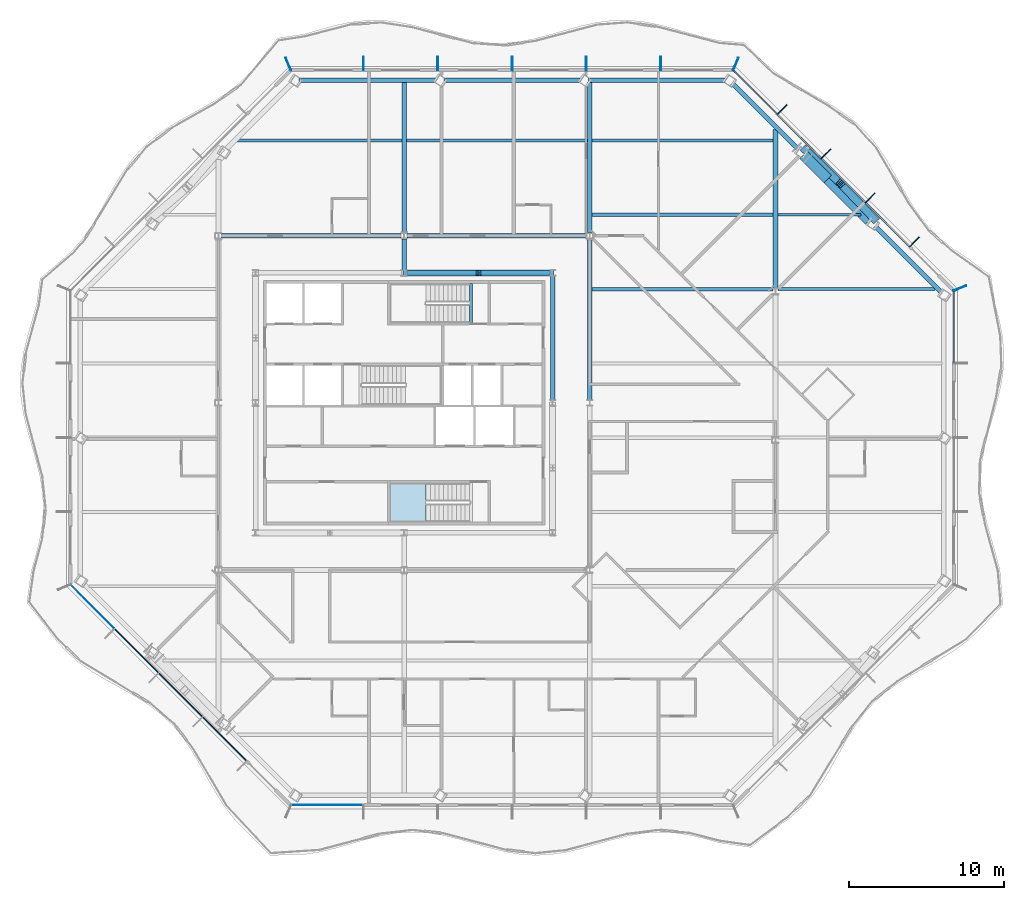
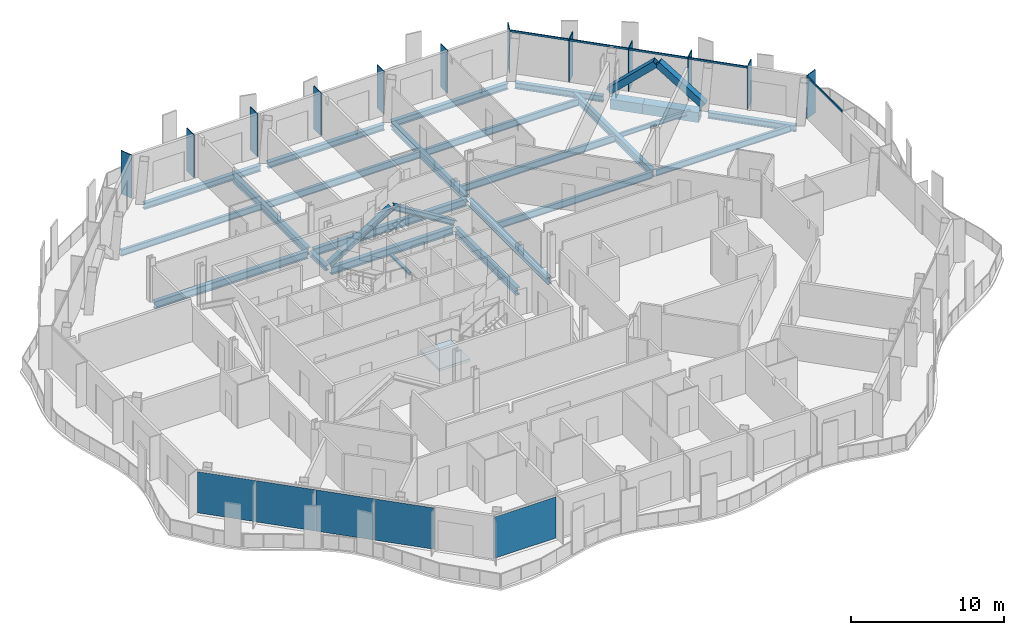
# One storey, part 5 of 19: 24 beams, 21 members, 5 plates, 1 slab, 7 elements without a shape of their own.
"""IFC4 building model written with IfcOpenShell, lengths in metres."""

import ifcopenshell
import ifcopenshell.guid

model = None  # the IFC model being written
_history = None  # IfcOwnerHistory: only IFC2X3 demands one
_inside = {}  # id of a spatial element -> (the spatial element, [elements in it])
_under = {}  # id of a project, library or spatial element -> (it, [spatial elements below it])
_declared = {}  # id of a project -> (the project, [libraries it declares])
_typed = {}  # id of a type object -> (the type object, [elements of that type])
_made_of = {}  # id of a material, layer set ... -> (it, [elements and type objects made of it])


def new_model(schema):
    """Start an empty IFC model of exactly this schema.

    Asked for "IFC4X3", IfcOpenShell would pick the latest addendum, in which some entities
    have other attributes; the version numbers below select the first issue.
    IFC2X3 requires an IfcOwnerHistory on every rooted entity: one is made here for all.
    """
    global model, _history
    if schema == "IFC4X3":
        model = ifcopenshell.file(schema_version=(4, 3, 0, 0))
    else:
        model = ifcopenshell.file(schema=schema)
    _inside.clear()
    _under.clear()
    _declared.clear()
    _typed.clear()
    _made_of.clear()
    _history = None
    if model.schema == "IFC2X3":
        org = make("IfcOrganization", Name="unknown")
        user = make(
            "IfcPersonAndOrganization",
            ThePerson=make("IfcPerson", FamilyName="unknown"),
            TheOrganization=org,
        )
        app = make(
            "IfcApplication",
            ApplicationDeveloper=org,
            Version="unknown",
            ApplicationFullName="unknown",
            ApplicationIdentifier="unknown",
        )
        _history = make(
            "IfcOwnerHistory",
            OwningUser=user,
            OwningApplication=app,
            ChangeAction="ADDED",
            CreationDate=0,
        )
    return model


def make(cls, **values):
    """One entity of the class cls with the attributes given. An attribute that is None is left unset."""
    return model.create_entity(
        cls, **{name: value for name, value in values.items() if value is not None}
    )


def rooted(cls, **values):
    """An entity with a GlobalId (a new one), such as an element, a storey or a relation."""
    return make(cls, GlobalId=ifcopenshell.guid.new(), OwnerHistory=_history, **values)


def si_unit(unit_type, name, prefix=None):
    """IfcSIUnit, for example si_unit("LENGTHUNIT", "METRE", prefix="MILLI")."""
    return make("IfcSIUnit", UnitType=unit_type, Prefix=prefix, Name=name)


def assignment(units):
    """IfcUnitAssignment: the units of a project."""
    return None if units is None else make("IfcUnitAssignment", Units=units)


def point(xyz):
    """IfcCartesianPoint."""
    return None if xyz is None else make("IfcCartesianPoint", Coordinates=xyz)


def direction(xyz):
    """IfcDirection."""
    return None if xyz is None else make("IfcDirection", DirectionRatios=xyz)


def frame(location, z_axis=None, x_axis=None):
    """IfcAxis2Placement3D, a coordinate frame: its origin and axes. An axis left out is left unset."""
    return make(
        "IfcAxis2Placement3D",
        Location=point(location),
        Axis=direction(z_axis),
        RefDirection=direction(x_axis),
    )


def frame_2d(location, x_axis=None):
    """IfcAxis2Placement2D, a coordinate frame in the plane: its origin and x axis."""
    return make(
        "IfcAxis2Placement2D", Location=point(location), RefDirection=direction(x_axis)
    )


def origin():
    """The frame at (0, 0, 0) with its axes left unset."""
    return frame((0.0, 0.0, 0.0))


def origin_2d():
    """The frame at (0, 0) in the plane with its x axis left unset."""
    return frame_2d((0.0, 0.0))


def place(relative_to, where):
    """IfcLocalPlacement: puts the frame where relative to a parent placement (None: the world)."""
    return make(
        "IfcLocalPlacement", PlacementRelTo=relative_to, RelativePlacement=where
    )


def context(
    kind, dimensions, precision=None, world=None, true_north=None, identifier=None
):
    """IfcGeometricRepresentationContext, for example the 3D "Model" context."""
    return make(
        "IfcGeometricRepresentationContext",
        ContextIdentifier=identifier,
        ContextType=kind,
        CoordinateSpaceDimension=dimensions,
        Precision=precision,
        WorldCoordinateSystem=world,
        TrueNorth=true_north,
    )


def subcontext(parent, identifier, kind, view, scale=None):
    """IfcGeometricRepresentationSubContext, for example "Body" below "Model"."""
    return make(
        "IfcGeometricRepresentationSubContext",
        ContextIdentifier=identifier,
        ContextType=kind,
        ParentContext=parent,
        TargetScale=scale,
        TargetView=view,
    )


def project(units=None, contexts=None):
    """IfcProject with its units and contexts."""
    return rooted(
        "IfcProject",
        Name="project",
        RepresentationContexts=contexts,
        UnitsInContext=assignment(units),
    )


def spatial(cls, under=None, at=None, **own):
    """A site, building, storey or space (cls), placed at a placement, below another one or the project."""
    s = rooted(cls, ObjectPlacement=at, **own)
    if under is not None:
        _under.setdefault(under.id(), (under, []))[1].append(s)
    return s


def polyline(points):
    """IfcPolyline through the points."""
    return make("IfcPolyline", Points=[point(p) for p in points])


def profile(cls, at=None, kind="AREA", **sizes):
    """A parametric profile (cls). Its sizes go by their IFC names, for example OverallWidth=200.0."""
    return make(cls, ProfileType=kind, Position=at, **sizes)


def rectangle(**sizes):
    """IfcRectangleProfileDef."""
    return profile("IfcRectangleProfileDef", **sizes)


def hollow_rectangle(**sizes):
    """IfcRectangleHollowProfileDef."""
    return profile("IfcRectangleHollowProfileDef", **sizes)


def i_section(**sizes):
    """IfcIShapeProfileDef."""
    return profile("IfcIShapeProfileDef", **sizes)


def outline(outer, holes=None, kind="AREA"):
    """IfcArbitraryClosedProfileDef: a profile drawn as a closed curve; with holes, ...WithVoids."""
    if holes is None:
        return make("IfcArbitraryClosedProfileDef", ProfileType=kind, OuterCurve=outer)
    return make(
        "IfcArbitraryProfileDefWithVoids",
        ProfileType=kind,
        OuterCurve=outer,
        InnerCurves=holes,
    )


def extrude(swept, where, along, depth):
    """IfcExtrudedAreaSolid: the profile swept, set in the frame where, extruded along a direction by depth."""
    return make(
        "IfcExtrudedAreaSolid",
        SweptArea=swept,
        Position=where,
        ExtrudedDirection=direction(along),
        Depth=depth,
    )


def shape(context_of_items, identifier, shape_type, items):
    """IfcShapeRepresentation: the items that make up one representation, for example the "Body"."""
    return make(
        "IfcShapeRepresentation",
        ContextOfItems=context_of_items,
        RepresentationIdentifier=identifier,
        RepresentationType=shape_type,
        Items=items,
    )


def material(Name=None, Category=None):
    """IfcMaterial."""
    return make("IfcMaterial", Name=Name, Category=Category)


def layer(
    of_material, thickness, ventilated=None, Name=None, Category=None, Priority=None
):
    """IfcMaterialLayer: one layer of a wall or slab, of a material (None: an air gap)."""
    return make(
        "IfcMaterialLayer",
        Material=of_material,
        LayerThickness=thickness,
        IsVentilated=ventilated,
        Name=Name,
        Category=Category,
        Priority=Priority,
    )


def layer_set(layers, Name=None):
    """IfcMaterialLayerSet."""
    return make("IfcMaterialLayerSet", MaterialLayers=layers, LayerSetName=Name)


def material_profile(
    of_material, cross_section, Name=None, Category=None, Priority=None
):
    """IfcMaterialProfile: a cross section and its material."""
    return make(
        "IfcMaterialProfile",
        Name=Name,
        Material=of_material,
        Profile=cross_section,
        Priority=Priority,
        Category=Category,
    )


def profile_set(profiles, Name=None, composite=None):
    """IfcMaterialProfileSet."""
    return make(
        "IfcMaterialProfileSet",
        Name=Name,
        MaterialProfiles=profiles,
        CompositeProfile=composite,
    )


def made_of(thing, what):
    """Note that an element or type object is made of a material, layer set ...; save() writes the relation."""
    if what is not None:
        _made_of.setdefault(what.id(), (what, []))[1].append(thing)
    return thing


def type_object(cls, material=None, **own):
    """A type object (cls), such as IfcWallType, which elements share."""
    return made_of(rooted(cls, **own), material)


def element(
    cls,
    number,
    at=None,
    inside=None,
    cuts=None,
    type_object=None,
    material=None,
    context=None,
    identifier="Body",
    shape_type=None,
    held_by="IfcProductDefinitionShape",
    body=None,
    shapes=None,
    **own,
):
    """One element of the class cls, such as IfcWall. Its Tag is "e" and its number.

    at: its placement. inside: the storey or other place that contains it. cuts: it is an
    opening in that element (IfcRelVoidsElement). A single representation is given by context,
    identifier, shape_type and body (its items); several are given by shapes. held_by: the class
    of the entity that holds the representations. save() writes the other relations.
    """
    e = rooted(cls, Tag="e%d" % number, ObjectPlacement=at, **own)
    if body is not None:
        shapes = [shape(context, identifier, shape_type, body)]
    if shapes is not None:
        e.Representation = make(held_by, Representations=shapes)
    if inside is not None:
        _inside.setdefault(inside.id(), (inside, []))[1].append(e)
    if cuts is not None:
        rooted(
            "IfcRelVoidsElement", RelatingBuildingElement=cuts, RelatedOpeningElement=e
        )
    if type_object is not None:
        _typed.setdefault(type_object.id(), (type_object, []))[1].append(e)
    return made_of(e, material)


def aggregate(whole, parts):
    """IfcRelAggregates: a whole, such as a stair, and the parts it consists of."""
    return rooted("IfcRelAggregates", RelatingObject=whole, RelatedObjects=parts)


def save(model, path):
    """Write the relations noted so far, then the file.

    IfcRelAggregates (storeys below a building ...), IfcRelContainedInSpatialStructure (elements
    in a storey), IfcRelDefinesByType, IfcRelAssociatesMaterial and IfcRelDeclares: one each for
    every whole, place, type object, material and project.
    """
    for whole, parts in _under.values():
        aggregate(whole, parts)
    for where, things in _inside.values():
        rooted(
            "IfcRelContainedInSpatialStructure",
            RelatedElements=things,
            RelatingStructure=where,
        )
    for kind, things in _typed.values():
        rooted("IfcRelDefinesByType", RelatedObjects=things, RelatingType=kind)
    for what, things in _made_of.values():
        rooted("IfcRelAssociatesMaterial", RelatedObjects=things, RelatingMaterial=what)
    for by, libraries in _declared.values():
        rooted("IfcRelDeclares", RelatingContext=by, RelatedDefinitions=libraries)
    model.write(path)


model = new_model("IFC4")

# Units and contexts
model_context = context("Model", 3, precision=1e-05, world=origin(), true_north=direction((0.0, 1.0)))
body_context = subcontext(model_context, "Body", "Model", "MODEL_VIEW")
ifc_project = project(units=[si_unit("LENGTHUNIT", "METRE"), si_unit("AREAUNIT", "SQUARE_METRE"), si_unit("VOLUMEUNIT", "CUBIC_METRE"), si_unit("PLANEANGLEUNIT", "RADIAN"), si_unit("MASSUNIT", "GRAM", prefix="KILO")], contexts=[model_context])

# Site, building, storey
site_placement = place(None, origin())
site = spatial("IfcSite", under=ifc_project, at=site_placement, CompositionType="ELEMENT")
building_placement = place(site_placement, origin())
building = spatial("IfcBuilding", under=site, at=building_placement, Name="Cairn Pilgrim Tower", CompositionType="ELEMENT")
storey_placement = place(building_placement, frame((0.0, 0.0, 197.39990234375)))
storey = spatial("IfcBuildingStorey", under=building, at=storey_placement, Name="L50", CompositionType="ELEMENT", Elevation=197.39990234375)

# Members
ifc_material_1 = material(Name="Structural steel S460M", Category="steel")
ifc_material_profile_1 = material_profile(ifc_material_1, hollow_rectangle(XDim=0.5, YDim=0.5, WallThickness=0.030029296875, at=origin_2d()), Name="BOX 500x500x30")
ifc_profile_set_1 = profile_set([ifc_material_profile_1], Name="Structural steel S460M")
member_type_1 = type_object("IfcMemberType", Name="BOX 500x500x30 BRACE", PredefinedType="BRACE", material=ifc_profile_set_1)
member_1_placement = place(storey_placement, frame((37.619384765625, 14.24658203125, 0.14990234375), z_axis=(-0.523082971832, 0.550227117961, 0.650871971465), x_axis=(-0.724757862894, -0.689003657591, 0.0)))
element("IfcMember", 1, at=member_1_placement, inside=storey, type_object=member_type_1, Name="XB-NE2-NE3-1", PredefinedType="BRACE", context=body_context, shape_type="SweptSolid", body=[
    extrude(hollow_rectangle(XDim=0.5, YDim=0.5, WallThickness=0.030029296875, at=origin_2d()), origin(), (0.0, 0.0, 1.0), 4.1552734375),
])
member_2_placement = place(storey_placement, frame((33.080078125, 18.796875, 0.150390625), z_axis=(0.548663846855, -0.524141572027, 0.651339846491), x_axis=(0.690763240463, 0.723081009034, 0.0)))
element("IfcMember", 2, at=member_2_placement, inside=storey, type_object=member_type_1, Name="XB-NE2-NE3-2", PredefinedType="BRACE", context=body_context, shape_type="SweptSolid", body=[
    extrude(hollow_rectangle(XDim=0.5, YDim=0.5, WallThickness=0.030029296875, at=origin_2d()), origin(), (0.0, 0.0, 1.0), 4.151611328125),
])

# Beams
ifc_material_2 = material(Name="Structural steel S355J2", Category="steel")
ifc_material_profile_2 = material_profile(ifc_material_2, hollow_rectangle(XDim=0.699951171875, YDim=0.800048828125, WallThickness=0.0400390625, at=origin_2d()), Name="BOX 700x800x40")
ifc_profile_set_2 = profile_set([ifc_material_profile_2], Name="Structural steel S355J2")
beam_type_1 = type_object("IfcBeamType", Name="BOX 700x800x40 RING GIRDER", PredefinedType="SPANDREL", material=ifc_profile_set_2)
beam_1_placement = place(storey_placement, frame((37.259765625, 14.1923828125, -0.5498046875), z_axis=(-0.707074617308, 0.707138943602, 0.0), x_axis=(-0.707138943602, -0.707074617308, 0.0)))
element("IfcBeam", 3, at=beam_1_placement, inside=storey, type_object=beam_type_1, Name="RG2-NE2-NE3-1", PredefinedType="SPANDREL", context=body_context, shape_type="SweptSolid", body=[
    extrude(hollow_rectangle(XDim=0.699951171875, YDim=0.800048828125, WallThickness=0.0400390625, at=origin_2d()), origin(), (0.0, 0.0, 1.0), 3.79541015625),
])
beam_2_placement = place(storey_placement, frame((34.576171875, 16.876220703125, -0.5498046875), z_axis=(-0.707162155851, 0.707051402185, 0.0), x_axis=(-0.707051402185, -0.707162155851, 0.0)))
element("IfcBeam", 4, at=beam_2_placement, inside=storey, type_object=beam_type_1, Name="RG2-NE2-NE3-2", PredefinedType="SPANDREL", context=body_context, shape_type="SweptSolid", body=[
    extrude(hollow_rectangle(XDim=0.699951171875, YDim=0.800048828125, WallThickness=0.0400390625, at=origin_2d()), origin(), (0.0, 0.0, 1.0), 2.204345703125),
])

# Curtain wall, members
ifc_material_3 = material(Name="Aluminium alloy 6063-T6 bronze anodised with Bronze tinted laminated low-E glass 8+16+8.8", Category="aluminium")
curtain_wall_type_1 = type_object("IfcCurtainWallType", Name="CHAMFER CORNER CURTAIN WALL", PredefinedType="NOTDEFINED", material=ifc_material_3)
curtain_wall_1_placement = place(storey_placement, origin())
curtain_wall_1 = element("IfcCurtainWall", 5, at=curtain_wall_1_placement, inside=storey, type_object=curtain_wall_type_1, Name="Chamfer Corner Curtain Wall NE", PredefinedType="NOTDEFINED")
ifc_material_4 = material(Name="Aluminium alloy 6063-T6 bronze anodised", Category="aluminium")
ifc_material_profile_3 = material_profile(ifc_material_4, rectangle(XDim=0.89990234375, YDim=0.06005859375, at=origin_2d()), Name="FIN MULLION 60x900 BRONZE")
ifc_profile_set_3 = profile_set([ifc_material_profile_3], Name="Aluminium alloy 6063-T6 bronze anodised")
member_type_2 = type_object("IfcMemberType", Name="FIN MULLION 60x900 BRONZE", PredefinedType="MULLION", material=ifc_profile_set_3)
member_3_placement = place(storey_placement, frame((43.113037109375, 9.80712890625, 0.0), z_axis=(0.0, 0.0, 1.0), x_axis=(0.923879532511, 0.382683432365, 0.0)))
member_3 = element("IfcMember", 6, at=member_3_placement, type_object=member_type_2, Name="Fin mullion NE1", PredefinedType="MULLION", context=body_context, shape_type="SweptSolid", body=[
    extrude(rectangle(XDim=0.89990234375, YDim=0.06005859375, at=origin_2d()), origin(), (0.0, 0.0, 1.0), 3.4501953125),
])
member_4_placement = place(storey_placement, frame((40.17138671875, 12.794189453125, 0.0), z_axis=(0.0, 0.0, 1.0), x_axis=(0.707106781187, 0.707106781187, 0.0)))
member_4 = element("IfcMember", 7, at=member_4_placement, type_object=member_type_2, Name="Fin mullion NE2", PredefinedType="MULLION", context=body_context, shape_type="SweptSolid", body=[
    extrude(rectangle(XDim=0.89990234375, YDim=0.06005859375, at=origin_2d()), origin(), (0.0, 0.0, 1.0), 3.4501953125),
])
member_5_placement = place(storey_placement, frame((37.320556640625, 15.644775390625, 0.0), z_axis=(0.0, 0.0, 1.0), x_axis=(0.707106781187, 0.707106781187, 0.0)))
member_5 = element("IfcMember", 8, at=member_5_placement, type_object=member_type_2, Name="Fin mullion NE3", PredefinedType="MULLION", context=body_context, shape_type="SweptSolid", body=[
    extrude(rectangle(XDim=0.89990234375, YDim=0.06005859375, at=origin_2d()), origin(), (0.0, 0.0, 1.0), 3.4501953125),
])
member_6_placement = place(storey_placement, frame((34.469970703125, 18.49560546875, 0.0), z_axis=(0.0, 0.0, 1.0), x_axis=(0.707106781187, 0.707106781187, 0.0)))
member_6 = element("IfcMember", 9, at=member_6_placement, type_object=member_type_2, Name="Fin mullion NE4", PredefinedType="MULLION", context=body_context, shape_type="SweptSolid", body=[
    extrude(rectangle(XDim=0.89990234375, YDim=0.06005859375, at=origin_2d()), origin(), (0.0, 0.0, 1.0), 3.4501953125),
])
member_7_placement = place(storey_placement, frame((31.619140625, 21.34619140625, 0.0), z_axis=(0.0, 0.0, 1.0), x_axis=(0.707106781187, 0.707106781187, 0.0)))
member_7 = element("IfcMember", 10, at=member_7_placement, type_object=member_type_2, Name="Fin mullion NE5", PredefinedType="MULLION", context=body_context, shape_type="SweptSolid", body=[
    extrude(rectangle(XDim=0.89990234375, YDim=0.06005859375, at=origin_2d()), origin(), (0.0, 0.0, 1.0), 3.4501953125),
])

curtain_wall_type_2 = type_object("IfcCurtainWallType", Name="TOWER STICK CURTAIN WALL NS", PredefinedType="NOTDEFINED", material=ifc_material_3)
curtain_wall_2_placement = place(storey_placement, origin())
curtain_wall_2 = element("IfcCurtainWall", 11, at=curtain_wall_2_placement, inside=storey, type_object=curtain_wall_type_2, Name="Tower Stick Curtain Wall Ns N", PredefinedType="NOTDEFINED")
member_8_placement = place(storey_placement, frame((28.632080078125, 24.2880859375, 0.0), z_axis=(0.0, 0.0, 1.0), x_axis=(0.382683432365, 0.923879532511, 0.0)))
member_8 = element("IfcMember", 12, at=member_8_placement, type_object=member_type_2, Name="Fin mullion N1", PredefinedType="MULLION", context=body_context, shape_type="SweptSolid", body=[
    extrude(rectangle(XDim=0.89990234375, YDim=0.06005859375, at=origin_2d()), origin(), (0.0, 0.0, 1.0), 3.4501953125),
])
member_9_placement = place(storey_placement, frame((23.77490234375, 24.320068359375, 0.0), z_axis=(0.0, 0.0, 1.0), x_axis=(0.0, 1.0, 0.0)))
member_9 = element("IfcMember", 13, at=member_9_placement, type_object=member_type_2, Name="Fin mullion N2", PredefinedType="MULLION", context=body_context, shape_type="SweptSolid", body=[
    extrude(rectangle(XDim=0.89990234375, YDim=0.06005859375, at=origin_2d()), origin(), (0.0, 0.0, 1.0), 3.4501953125),
])
member_10_placement = place(storey_placement, frame((18.97509765625, 24.320068359375, 0.0), z_axis=(0.0, 0.0, 1.0), x_axis=(0.0, 1.0, 0.0)))
member_10 = element("IfcMember", 14, at=member_10_placement, type_object=member_type_2, Name="Fin mullion N3", PredefinedType="MULLION", context=body_context, shape_type="SweptSolid", body=[
    extrude(rectangle(XDim=0.89990234375, YDim=0.06005859375, at=origin_2d()), origin(), (0.0, 0.0, 1.0), 3.4501953125),
])
member_11_placement = place(storey_placement, frame((14.175048828125, 24.320068359375, 0.0), z_axis=(0.0, 0.0, 1.0), x_axis=(0.0, 1.0, 0.0)))
member_11 = element("IfcMember", 15, at=member_11_placement, type_object=member_type_2, Name="Fin mullion N4", PredefinedType="MULLION", context=body_context, shape_type="SweptSolid", body=[
    extrude(rectangle(XDim=0.89990234375, YDim=0.06005859375, at=origin_2d()), origin(), (0.0, 0.0, 1.0), 3.4501953125),
])
member_12_placement = place(storey_placement, frame((9.375, 24.320068359375, 0.0), z_axis=(0.0, 0.0, 1.0), x_axis=(0.0, 1.0, 0.0)))
member_12 = element("IfcMember", 16, at=member_12_placement, type_object=member_type_2, Name="Fin mullion N5", PredefinedType="MULLION", context=body_context, shape_type="SweptSolid", body=[
    extrude(rectangle(XDim=0.89990234375, YDim=0.06005859375, at=origin_2d()), origin(), (0.0, 0.0, 1.0), 3.4501953125),
])
member_13_placement = place(storey_placement, frame((4.574951171875, 24.320068359375, 0.0), z_axis=(0.0, 0.0, 1.0), x_axis=(0.0, 1.0, 0.0)))
member_13 = element("IfcMember", 17, at=member_13_placement, type_object=member_type_2, Name="Fin mullion N6", PredefinedType="MULLION", context=body_context, shape_type="SweptSolid", body=[
    extrude(rectangle(XDim=0.89990234375, YDim=0.06005859375, at=origin_2d()), origin(), (0.0, 0.0, 1.0), 3.4501953125),
])
aggregate(curtain_wall_2, [member_8, member_9, member_10, member_11, member_12, member_13])

# Curtain wall, member
curtain_wall_3_placement = place(storey_placement, origin())
curtain_wall_3 = element("IfcCurtainWall", 18, at=curtain_wall_3_placement, inside=storey, type_object=curtain_wall_type_1, Name="Chamfer Corner Curtain Wall NW", PredefinedType="NOTDEFINED")
member_14_placement = place(storey_placement, frame((-0.2822265625, 24.2880859375, 0.0), z_axis=(0.0, 0.0, 1.0), x_axis=(-0.382683432365, 0.923879532511, 0.0)))
member_14 = element("IfcMember", 19, at=member_14_placement, type_object=member_type_2, Name="Fin mullion NW1", PredefinedType="MULLION", context=body_context, shape_type="SweptSolid", body=[
    extrude(rectangle(XDim=0.89990234375, YDim=0.06005859375, at=origin_2d()), origin(), (0.0, 0.0, 1.0), 3.4501953125),
])
aggregate(curtain_wall_3, [member_14])

# Members
ifc_material_profile_4 = material_profile(ifc_material_2, i_section(OverallWidth=0.39794921875, OverallDepth=0.386962890625, WebThickness=0.02099609375, FlangeThickness=0.033203125, FilletRadius=0.014892578125, at=origin_2d()), Name="HD 400x262")
ifc_profile_set_4 = profile_set([ifc_material_profile_4], Name="Structural steel S355J2")
member_type_3 = type_object("IfcMemberType", Name="HD 400x262 BRACE", PredefinedType="BRACE", material=ifc_profile_set_4)
for number, where, z_axis, x_axis, name in (
    (20, (16.759521484375, 10.800048828125, 0.10009765625), (-0.851180404412, 0.0, 0.524873241025), (0.0, -1.0, 0.0), "KB-3A"),
    (21, (7.240478515625, 10.800048828125, 0.10009765625), (0.851180404412, 0.0, 0.524873241025), (0.0, 1.0, 0.0), "KB-3B"),
):
    element("IfcMember", number, at=place(storey_placement, frame(where, z_axis=z_axis, x_axis=x_axis)), inside=storey, type_object=member_type_3, Name=name, PredefinedType="BRACE", context=body_context, shape_type="SweptSolid", body=[
        extrude(i_section(OverallWidth=0.39794921875, OverallDepth=0.386962890625, WebThickness=0.02099609375, FlangeThickness=0.033203125, FilletRadius=0.014892578125, at=origin_2d()), origin(), (0.0, 0.0, 1.0), 5.529052734375),
    ])

# Beams
ifc_material_profile_5 = material_profile(ifc_material_2, i_section(OverallWidth=0.300048828125, OverallDepth=0.39990234375, WebThickness=0.013427734375, FlangeThickness=0.02392578125, FilletRadius=0.027099609375, at=origin_2d()), Name="HEB 400")
ifc_profile_set_5 = profile_set([ifc_material_profile_5], Name="Structural steel S355J2")
beam_type_2 = type_object("IfcBeamType", Name="HEB 400 GIRDER", PredefinedType="BEAM", material=ifc_profile_set_5)
beam_3_placement = place(storey_placement, frame((7.199951171875, 11.001953125, -0.349853515625), z_axis=(0.0, 1.0, 0.0), x_axis=(-1.0, 0.0, 0.0)))
element("IfcBeam", 22, at=beam_3_placement, inside=storey, type_object=beam_type_2, Name="PG3-E2", PredefinedType="BEAM", context=body_context, shape_type="SweptSolid", body=[
    extrude(i_section(OverallWidth=0.300048828125, OverallDepth=0.39990234375, WebThickness=0.013427734375, FlangeThickness=0.02392578125, FilletRadius=0.027099609375, at=origin_2d()), origin(), (0.0, 0.0, 1.0), 1.99853515625),
])
ifc_material_profile_6 = material_profile(ifc_material_2, i_section(OverallWidth=0.300048828125, OverallDepth=0.5, WebThickness=0.014404296875, FlangeThickness=0.028076171875, FilletRadius=0.027099609375, at=origin_2d()), Name="HEB 500")
ifc_profile_set_6 = profile_set([ifc_material_profile_6], Name="Structural steel S355J2")
beam_type_3 = type_object("IfcBeamType", Name="HEB 500 RING GIRDER", PredefinedType="SPANDREL", material=ifc_profile_set_6)
for number, where, z_axis, x_axis, name in (
    (23, (41.884033203125, 9.568115234375, -0.39990234375), (-0.707106781187, 0.707106781187, 0.0), (-0.707106781187, -0.707106781187, 0.0), "RG2-NE1-NE2"),
    (24, (32.635498046875, 18.816650390625, -0.39990234375), (-0.707106781187, 0.707106781187, 0.0), (-0.707106781187, -0.707106781187, 0.0), "RG2-NE3-N1"),
):
    element("IfcBeam", number, at=place(storey_placement, frame(where, z_axis=z_axis, x_axis=x_axis)), inside=storey, type_object=beam_type_3, Name=name, PredefinedType="SPANDREL", context=body_context, shape_type="SweptSolid", body=[
        extrude(i_section(OverallWidth=0.300048828125, OverallDepth=0.5, WebThickness=0.014404296875, FlangeThickness=0.028076171875, FilletRadius=0.027099609375, at=origin_2d()), origin(), (0.0, 0.0, 1.0), 5.999755859375),
    ])
for number, where, z_axis, x_axis, name in (
    (25, (27.93212890625, 23.25, -0.39990234375), (-1.0, 0.0, 0.0), (0.0, -1.0, 0.0), "RG2-N1-N2"),
    (26, (18.580810546875, 23.25, -0.39990234375), (-1.0, 0.0, 0.0), (0.0, -1.0, 0.0), "RG2-N2-N3"),
    (27, (9.229248046875, 23.25, -0.39990234375), (-1.0, 0.0, 0.0), (0.0, -1.0, 0.0), "RG2-N3-NW1"),
):
    element("IfcBeam", number, at=place(storey_placement, frame(where, z_axis=z_axis, x_axis=x_axis)), inside=storey, type_object=beam_type_3, Name=name, PredefinedType="SPANDREL", context=body_context, shape_type="SweptSolid", body=[
        extrude(i_section(OverallWidth=0.300048828125, OverallDepth=0.5, WebThickness=0.014404296875, FlangeThickness=0.028076171875, FilletRadius=0.027099609375, at=origin_2d()), origin(), (0.0, 0.0, 1.0), 8.8115234375),
    ])
ifc_material_profile_7 = material_profile(ifc_material_2, i_section(OverallWidth=0.300048828125, OverallDepth=0.60009765625, WebThickness=0.015380859375, FlangeThickness=0.030029296875, FilletRadius=0.027099609375, at=origin_2d()), Name="HEB 600")
ifc_profile_set_7 = profile_set([ifc_material_profile_7], Name="Structural steel S355J2")
beam_type_4 = type_object("IfcBeamType", Name="HEB 600 CORE BEAM", PredefinedType="BEAM", material=ifc_profile_set_7)
beam_4_placement = place(storey_placement, frame((16.800048828125, 2.581787109375, -0.449951171875), z_axis=(0.0, 1.0, 0.0), x_axis=(-1.0, 0.0, 0.0)))
element("IfcBeam", 28, at=beam_4_placement, inside=storey, type_object=beam_type_4, Name="CB-4", PredefinedType="BEAM", context=body_context, shape_type="SweptSolid", body=[
    extrude(i_section(OverallWidth=0.300048828125, OverallDepth=0.60009765625, WebThickness=0.015380859375, FlangeThickness=0.030029296875, FilletRadius=0.027099609375, at=origin_2d()), origin(), (0.0, 0.0, 1.0), 8.036376953125),
])
beam_5_placement = place(storey_placement, frame((16.6181640625, 10.800048828125, -0.449951171875), z_axis=(-1.0, 0.0, 0.0), x_axis=(0.0, -1.0, 0.0)))
element("IfcBeam", 29, at=beam_5_placement, inside=storey, type_object=beam_type_4, Name="CB-5", PredefinedType="BEAM", context=body_context, shape_type="SweptSolid", body=[
    extrude(i_section(OverallWidth=0.300048828125, OverallDepth=0.60009765625, WebThickness=0.015380859375, FlangeThickness=0.030029296875, FilletRadius=0.027099609375, at=origin_2d()), origin(), (0.0, 0.0, 1.0), 9.236328125),
])
ifc_material_profile_8 = material_profile(ifc_material_2, i_section(OverallWidth=0.300048828125, OverallDepth=0.60009765625, WebThickness=0.015380859375, FlangeThickness=0.030029296875, FilletRadius=0.027099609375, at=origin_2d()), Name="HEB 600")
ifc_profile_set_8 = profile_set([ifc_material_profile_8], Name="Structural steel S355J2")
beam_type_5 = type_object("IfcBeamType", Name="HEB 600 GIRDER", PredefinedType="BEAM", material=ifc_profile_set_8)
beam_6_placement = place(storey_placement, frame((7.199951171875, 13.3994140625, -0.449951171875), z_axis=(0.0, 1.0, 0.0), x_axis=(-1.0, 0.0, 0.0)))
element("IfcBeam", 30, at=beam_6_placement, inside=storey, type_object=beam_type_5, Name="PG3-2", PredefinedType="BEAM", context=body_context, shape_type="SweptSolid", body=[
    extrude(i_section(OverallWidth=0.300048828125, OverallDepth=0.60009765625, WebThickness=0.015380859375, FlangeThickness=0.030029296875, FilletRadius=0.027099609375, at=origin_2d()), origin(), (0.0, 0.0, 1.0), 9.73046875),
])
beam_7_placement = place(storey_placement, frame((19.199951171875, 2.599609375, -0.449951171875), z_axis=(0.0, 1.0, 0.0), x_axis=(-1.0, 0.0, 0.0)))
element("IfcBeam", 31, at=beam_7_placement, inside=storey, type_object=beam_type_5, Name="PG4-3", PredefinedType="BEAM", context=body_context, shape_type="SweptSolid", body=[
    extrude(i_section(OverallWidth=0.300048828125, OverallDepth=0.60009765625, WebThickness=0.015380859375, FlangeThickness=0.030029296875, FilletRadius=0.027099609375, at=origin_2d()), origin(), (0.0, 0.0, 1.0), 10.40087890625),
])
beam_8_placement = place(storey_placement, frame((19.199951171875, 13.3994140625, -0.449951171875), z_axis=(0.0, 1.0, 0.0), x_axis=(-1.0, 0.0, 0.0)))
element("IfcBeam", 32, at=beam_8_placement, inside=storey, type_object=beam_type_5, Name="PG4-4", PredefinedType="BEAM", context=body_context, shape_type="SweptSolid", body=[
    extrude(i_section(OverallWidth=0.300048828125, OverallDepth=0.60009765625, WebThickness=0.015380859375, FlangeThickness=0.030029296875, FilletRadius=0.027099609375, at=origin_2d()), origin(), (0.0, 0.0, 1.0), 9.73046875),
])
beam_9_placement = place(storey_placement, frame((31.199951171875, 9.804443359375, -0.449951171875), z_axis=(0.0, 1.0, 0.0), x_axis=(-1.0, 0.0, 0.0)))
element("IfcBeam", 33, at=beam_9_placement, inside=storey, type_object=beam_type_5, Name="PG5-3", PredefinedType="BEAM", context=body_context, shape_type="SweptSolid", body=[
    extrude(i_section(OverallWidth=0.300048828125, OverallDepth=0.60009765625, WebThickness=0.015380859375, FlangeThickness=0.030029296875, FilletRadius=0.027099609375, at=origin_2d()), origin(), (0.0, 0.0, 1.0), 10.265625),
])
ifc_material_profile_9 = material_profile(ifc_material_2, i_section(OverallWidth=0.300048828125, OverallDepth=0.60009765625, WebThickness=0.015380859375, FlangeThickness=0.030029296875, FilletRadius=0.027099609375, at=origin_2d()), Name="HEB 600")
ifc_profile_set_9 = profile_set([ifc_material_profile_9], Name="Structural steel S355J2")
beam_type_6 = type_object("IfcBeamType", Name="HEB 600 INNER GIRDER", PredefinedType="BEAM", material=ifc_profile_set_9)
for number, where, z_axis, x_axis, name in (
    (34, (-4.6005859375, 13.199951171875, -0.449951171875), (1.0, 0.0, 0.0), (0.0, 1.0, 0.0), "IG2-1"),
    (35, (7.3994140625, 13.199951171875, -0.449951171875), (1.0, 0.0, 0.0), (0.0, 1.0, 0.0), "IG2-2"),
):
    element("IfcBeam", number, at=place(storey_placement, frame(where, z_axis=z_axis, x_axis=x_axis)), inside=storey, type_object=beam_type_6, Name=name, PredefinedType="BEAM", context=body_context, shape_type="SweptSolid", body=[
        extrude(i_section(OverallWidth=0.300048828125, OverallDepth=0.60009765625, WebThickness=0.015380859375, FlangeThickness=0.030029296875, FilletRadius=0.027099609375, at=origin_2d()), origin(), (0.0, 0.0, 1.0), 11.60107421875),
    ])
ifc_material_profile_10 = material_profile(ifc_material_2, i_section(OverallWidth=0.169921875, OverallDepth=0.360107421875, WebThickness=0.008056640625, FlangeThickness=0.0126953125, FilletRadius=0.01806640625, at=origin_2d()), Name="IPE 360")
ifc_profile_set_10 = profile_set([ifc_material_profile_10], Name="Structural steel S355J2")
beam_type_7 = type_object("IfcBeamType", Name="IPE 360 SECONDARY BEAM", PredefinedType="JOIST", material=ifc_profile_set_10)
beam_10_placement = place(storey_placement, frame((31.35009765625, 14.550048828125, -0.329833984375), z_axis=(1.0, 0.0, 0.0), x_axis=(0.0, 1.0, 0.0)))
element("IfcBeam", 36, at=beam_10_placement, inside=storey, type_object=beam_type_7, Name="SB8-3", PredefinedType="JOIST", context=body_context, shape_type="SweptSolid", body=[
    extrude(i_section(OverallWidth=0.169921875, OverallDepth=0.360107421875, WebThickness=0.008056640625, FlangeThickness=0.0126953125, FilletRadius=0.01806640625, at=origin_2d()), origin(), (0.0, 0.0, 1.0), 5.3701171875),
])
ifc_material_profile_11 = material_profile(ifc_material_2, i_section(OverallWidth=0.199951171875, OverallDepth=0.5, WebThickness=0.01025390625, FlangeThickness=0.01611328125, FilletRadius=0.02099609375, at=origin_2d()), Name="IPE 500")
ifc_profile_set_11 = profile_set([ifc_material_profile_11], Name="Structural steel S355J2")
beam_type_8 = type_object("IfcBeamType", Name="IPE 500 SECONDARY BEAM", PredefinedType="JOIST", material=ifc_profile_set_11)
beam_11_placement = place(storey_placement, frame((31.35009765625, 9.75, -0.39990234375), z_axis=(1.0, 0.0, 0.0), x_axis=(0.0, 1.0, 0.0)))
element("IfcBeam", 37, at=beam_11_placement, inside=storey, type_object=beam_type_8, Name="SB7-3", PredefinedType="JOIST", context=body_context, shape_type="SweptSolid", body=[
    extrude(i_section(OverallWidth=0.199951171875, OverallDepth=0.5, WebThickness=0.01025390625, FlangeThickness=0.01611328125, FilletRadius=0.02099609375, at=origin_2d()), origin(), (0.0, 0.0, 1.0), 10.169921875),
])
beam_12_placement = place(storey_placement, frame((-3.570068359375, 19.35009765625, -0.39990234375), z_axis=(1.0, 0.0, 0.0), x_axis=(0.0, 1.0, 0.0)))
element("IfcBeam", 38, at=beam_12_placement, inside=storey, type_object=beam_type_8, Name="SB9-1", PredefinedType="JOIST", context=body_context, shape_type="SweptSolid", body=[
    extrude(i_section(OverallWidth=0.199951171875, OverallDepth=0.5, WebThickness=0.01025390625, FlangeThickness=0.01611328125, FilletRadius=0.02099609375, at=origin_2d()), origin(), (0.0, 0.0, 1.0), 10.6201171875),
])
ifc_material_profile_12 = material_profile(ifc_material_2, i_section(OverallWidth=0.2099609375, OverallDepth=0.550048828125, WebThickness=0.010986328125, FlangeThickness=0.01708984375, FilletRadius=0.02392578125, at=origin_2d()), Name="IPE 550")
ifc_profile_set_12 = profile_set([ifc_material_profile_12], Name="Structural steel S355J2")
beam_type_9 = type_object("IfcBeamType", Name="IPE 550 SECONDARY BEAM", PredefinedType="JOIST", material=ifc_profile_set_12)
for number, where, z_axis, x_axis, name in (
    (39, (19.35009765625, 9.75, -0.4248046875), (1.0, 0.0, 0.0), (0.0, 1.0, 0.0), "SB7-2"),
    (40, (19.35009765625, 14.550048828125, -0.4248046875), (1.0, 0.0, 0.0), (0.0, 1.0, 0.0), "SB8-2"),
    (41, (7.35009765625, 19.35009765625, -0.4248046875), (1.0, 0.0, 0.0), (0.0, 1.0, 0.0), "SB9-2"),
    (42, (19.35009765625, 19.35009765625, -0.4248046875), (1.0, 0.0, 0.0), (0.0, 1.0, 0.0), "SB9-3"),
):
    element("IfcBeam", number, at=place(storey_placement, frame(where, z_axis=z_axis, x_axis=x_axis)), inside=storey, type_object=beam_type_9, Name=name, PredefinedType="JOIST", context=body_context, shape_type="SweptSolid", body=[
        extrude(i_section(OverallWidth=0.2099609375, OverallDepth=0.550048828125, WebThickness=0.010986328125, FlangeThickness=0.01708984375, FilletRadius=0.02392578125, at=origin_2d()), origin(), (0.0, 0.0, 1.0), 11.699951171875),
    ])
ifc_material_profile_13 = material_profile(ifc_material_2, i_section(OverallWidth=0.199951171875, OverallDepth=0.199951171875, WebThickness=0.009033203125, FlangeThickness=0.014892578125, FilletRadius=0.01806640625, at=origin_2d()), Name="HE 200 B")
ifc_profile_set_13 = profile_set([ifc_material_profile_13], Name="Structural steel S355J2")
beam_type_10 = type_object("IfcBeamType", Name="STAIR LANDING BEAM HE 200 B", PredefinedType="BEAM", material=ifc_profile_set_13)
beam_13_placement = place(storey_placement, frame((11.5244140625, 10.10009765625, -0.25), z_axis=(0.0, -1.0, 0.0), x_axis=(1.0, 0.0, 0.0)))
element("IfcBeam", 43, at=beam_13_placement, inside=storey, type_object=beam_type_10, Name="STAIR LANDING BEAM LD-HE200B", PredefinedType="BEAM", context=body_context, shape_type="SweptSolid", body=[
    extrude(i_section(OverallWidth=0.199951171875, OverallDepth=0.199951171875, WebThickness=0.009033203125, FlangeThickness=0.014892578125, FilletRadius=0.01806640625, at=origin_2d()), origin(), (0.0, 0.0, 1.0), 2.525146484375),
])

# Curtain wall, member
curtain_wall_type_3 = type_object("IfcCurtainWallType", Name="TOWER STICK CURTAIN WALL EW", PredefinedType="NOTDEFINED", material=ifc_material_3)
curtain_wall_4_placement = place(storey_placement, origin())
curtain_wall_4 = element("IfcCurtainWall", 44, at=curtain_wall_4_placement, inside=storey, type_object=curtain_wall_type_3, Name="Tower Stick Curtain Wall Ew E", PredefinedType="NOTDEFINED")
ifc_material_profile_14 = material_profile(ifc_material_4, rectangle(XDim=0.080078125, YDim=0.14990234375, at=origin_2d()), Name="TRANSOM 80x150 BRONZE")
ifc_profile_set_14 = profile_set([ifc_material_profile_14], Name="Aluminium alloy 6063-T6 bronze anodised")
member_type_4 = type_object("IfcMemberType", Name="TRANSOM 80x150 BRONZE", PredefinedType="USERDEFINED", material=ifc_profile_set_14)
member_15_placement = place(storey_placement, frame((42.72509765625, 4.97998046875, 3.375), z_axis=(0.0, 1.0, 0.0), x_axis=(-1.0, 0.0, 0.0)))
member_15 = element("IfcMember", 45, at=member_15_placement, type_object=member_type_4, Name="Transom E4", ObjectType="TRANSOM", PredefinedType="USERDEFINED", context=body_context, shape_type="SweptSolid", body=[
    extrude(rectangle(XDim=0.080078125, YDim=0.14990234375, at=origin_2d()), origin(), (0.0, 0.0, 1.0), 4.62646484375),
])
aggregate(curtain_wall_4, [member_15])

# Member
member_16_placement = place(storey_placement, frame((39.85302734375, 12.518310546875, 3.375), z_axis=(-0.707106781187, 0.707106781187, 0.0), x_axis=(-0.707106781187, -0.707106781187, 0.0)))
member_16 = element("IfcMember", 46, at=member_16_placement, type_object=member_type_4, Name="Transom NE2", ObjectType="TRANSOM", PredefinedType="USERDEFINED", context=body_context, shape_type="SweptSolid", body=[
    extrude(rectangle(XDim=0.080078125, YDim=0.14990234375, at=origin_2d()), origin(), (0.0, 0.0, 1.0), 3.9716796875),
])

member_17_placement = place(storey_placement, frame((37.00244140625, 15.369140625, 3.375), z_axis=(-0.70713751761, 0.707076043427, 0.0), x_axis=(-0.707076043427, -0.70713751761, 0.0)))
member_17 = element("IfcMember", 47, at=member_17_placement, type_object=member_type_4, Name="Transom NE3", ObjectType="TRANSOM", PredefinedType="USERDEFINED", context=body_context, shape_type="SweptSolid", body=[
    extrude(rectangle(XDim=0.080078125, YDim=0.14990234375, at=origin_2d()), origin(), (0.0, 0.0, 1.0), 3.971435546875),
])

member_18_placement = place(storey_placement, frame((34.151611328125, 18.2197265625, 3.375), z_axis=(-0.707106781187, 0.707106781187, 0.0), x_axis=(-0.707106781187, -0.707106781187, 0.0)))
member_18 = element("IfcMember", 48, at=member_18_placement, type_object=member_type_4, Name="Transom NE4", ObjectType="TRANSOM", PredefinedType="USERDEFINED", context=body_context, shape_type="SweptSolid", body=[
    extrude(rectangle(XDim=0.080078125, YDim=0.14990234375, at=origin_2d()), origin(), (0.0, 0.0, 1.0), 3.9716796875),
])

member_19_placement = place(storey_placement, frame((31.301025390625, 21.070556640625, 3.375), z_axis=(-0.707106781187, 0.707106781187, 0.0), x_axis=(-0.707106781187, -0.707106781187, 0.0)))
member_19 = element("IfcMember", 49, at=member_19_placement, type_object=member_type_4, Name="Transom NE5", ObjectType="TRANSOM", PredefinedType="USERDEFINED", context=body_context, shape_type="SweptSolid", body=[
    extrude(rectangle(XDim=0.080078125, YDim=0.14990234375, at=origin_2d()), origin(), (0.0, 0.0, 1.0), 3.961669921875),
])

aggregate(curtain_wall_1, [member_3, member_4, member_5, member_6, member_7, member_16, member_17, member_18, member_19])

# Curtain wall, plates
curtain_wall_5_placement = place(storey_placement, origin())
curtain_wall_5 = element("IfcCurtainWall", 50, at=curtain_wall_5_placement, inside=storey, type_object=curtain_wall_type_1, Name="Chamfer Corner Curtain Wall SW", PredefinedType="NOTDEFINED")
ifc_material_5 = material(Name="Bronze anodised aluminium spandrel panel with mineral wool insulation", Category="aluminium")
ifc_layer_1 = layer(ifc_material_5, 0.06005859375)
ifc_layer_set_1 = layer_set([ifc_layer_1], Name="SPANDREL PANEL 3972x3300")
plate_type_1 = type_object("IfcPlateType", Name="SPANDREL PANEL 3972x3300", PredefinedType="CURTAIN_PANEL", material=ifc_layer_set_1)
plate_1_placement = place(storey_placement, frame((-10.098876953125, -13.62255859375, 0.0), z_axis=(0.0, 0.0, 1.0), x_axis=(0.707106781187, -0.707106781187, 0.0)))
plate_1 = element("IfcPlate", 51, at=plate_1_placement, type_object=plate_type_1, Name="Spandrel Panel SW2-1", PredefinedType="CURTAIN_PANEL", context=body_context, shape_type="SweptSolid", body=[
    extrude(rectangle(XDim=3.971435546875, YDim=0.06005859375, at=origin_2d()), origin(), (0.0, 0.0, 1.0), 3.300048828125),
])
plate_2_placement = place(storey_placement, frame((-7.248291015625, -16.47314453125, 0.0), z_axis=(0.0, 0.0, 1.0), x_axis=(0.707106781187, -0.707106781187, 0.0)))
plate_2 = element("IfcPlate", 52, at=plate_2_placement, type_object=plate_type_1, Name="Spandrel Panel SW3-1", PredefinedType="CURTAIN_PANEL", context=body_context, shape_type="SweptSolid", body=[
    extrude(rectangle(XDim=3.971435546875, YDim=0.06005859375, at=origin_2d()), origin(), (0.0, 0.0, 1.0), 3.300048828125),
])
plate_3_placement = place(storey_placement, frame((-4.3974609375, -19.323974609375, 0.0), z_axis=(0.0, 0.0, 1.0), x_axis=(0.707106781187, -0.707106781187, 0.0)))
plate_3 = element("IfcPlate", 53, at=plate_3_placement, type_object=plate_type_1, Name="Spandrel Panel SW4-1", PredefinedType="CURTAIN_PANEL", context=body_context, shape_type="SweptSolid", body=[
    extrude(rectangle(XDim=3.971435546875, YDim=0.06005859375, at=origin_2d()), origin(), (0.0, 0.0, 1.0), 3.300048828125),
])

# Stair, slab
ifc_material_6 = material(Name="Concrete C32/40", Category="concrete")
stair_type = type_object("IfcStairType", Name="EXIT STAIR 1200", PredefinedType="HALF_TURN_STAIR", material=ifc_material_6)
stair_placement = place(storey_placement, origin())
stair = element("IfcStair", 54, at=stair_placement, inside=storey, type_object=stair_type, Name="L50 Exit Stair A", PredefinedType="HALF_TURN_STAIR")
ifc_layer_2 = layer(ifc_material_6, 0.199951171875)
ifc_layer_set_2 = layer_set([ifc_layer_2], Name="STAIR LANDING 200")
slab_type = type_object("IfcSlabType", Name="STAIR LANDING 200", PredefinedType="LANDING", material=ifc_layer_set_2)
slab_placement = place(storey_placement, frame((0.0, 0.0, 1.60009765625)))
slab = element("IfcSlab", 55, at=slab_placement, type_object=slab_type, Name="ST-A landing 1", PredefinedType="LANDING", context=body_context, shape_type="SweptSolid", body=[
    extrude(outline(polyline([(8.625, -2.77490234375), (6.27490234375, -2.77490234375), (6.27490234375, -5.300048828125), (8.625, -5.300048828125), (8.625, -2.77490234375)])), origin(), (0.0, 0.0, 1.0), 0.199951171875),
])
aggregate(stair, [slab])

# Plate
ifc_material_7 = material(Name="Bronze tinted laminated low-E glass 8+16+8.8", Category="glass")
ifc_layer_3 = layer(ifc_material_7, 0.033935546875)
ifc_layer_set_3 = layer_set([ifc_layer_3], Name="VISION GLAZING 3962x3300")
plate_type_2 = type_object("IfcPlateType", Name="VISION GLAZING 3962x3300", PredefinedType="CURTAIN_PANEL", material=ifc_layer_set_3)
plate_4_placement = place(storey_placement, frame((-12.946044921875, -10.775390625, 0.0), z_axis=(0.0, 0.0, 1.0), x_axis=(0.707106781187, -0.707106781187, 0.0)))
plate_4 = element("IfcPlate", 56, at=plate_4_placement, type_object=plate_type_2, Name="Vision Glazing SW1-1", PredefinedType="CURTAIN_PANEL", context=body_context, shape_type="SweptSolid", body=[
    extrude(rectangle(XDim=3.96142578125, YDim=0.033935546875, at=origin_2d()), origin(), (0.0, 0.0, 1.0), 3.300048828125),
])

aggregate(curtain_wall_5, [plate_4, plate_1, plate_2, plate_3])

# Curtain wall, plate
curtain_wall_6_placement = place(storey_placement, origin())
curtain_wall_6 = element("IfcCurtainWall", 57, at=curtain_wall_6_placement, inside=storey, type_object=curtain_wall_type_2, Name="Tower Stick Curtain Wall Ns S", PredefinedType="NOTDEFINED")
ifc_layer_4 = layer(ifc_material_7, 0.033935546875)
ifc_layer_set_4 = layer_set([ifc_layer_4], Name="VISION GLAZING 4626x3300")
plate_type_3 = type_object("IfcPlateType", Name="VISION GLAZING 4626x3300", PredefinedType="CURTAIN_PANEL", material=ifc_layer_set_4)
plate_5_placement = place(storey_placement, frame((2.231689453125, -23.60009765625, 0.0), z_axis=(0.0, 0.0, 1.0), x_axis=(1.0, 0.0, 0.0)))
plate_5 = element("IfcPlate", 58, at=plate_5_placement, type_object=plate_type_3, Name="Vision Glazing S1-1", PredefinedType="CURTAIN_PANEL", context=body_context, shape_type="SweptSolid", body=[
    extrude(rectangle(XDim=4.62646484375, YDim=0.033935546875, at=origin_2d()), origin(), (0.0, 0.0, 1.0), 3.300048828125),
])
aggregate(curtain_wall_6, [plate_5])

save(model, "model.ifc")
